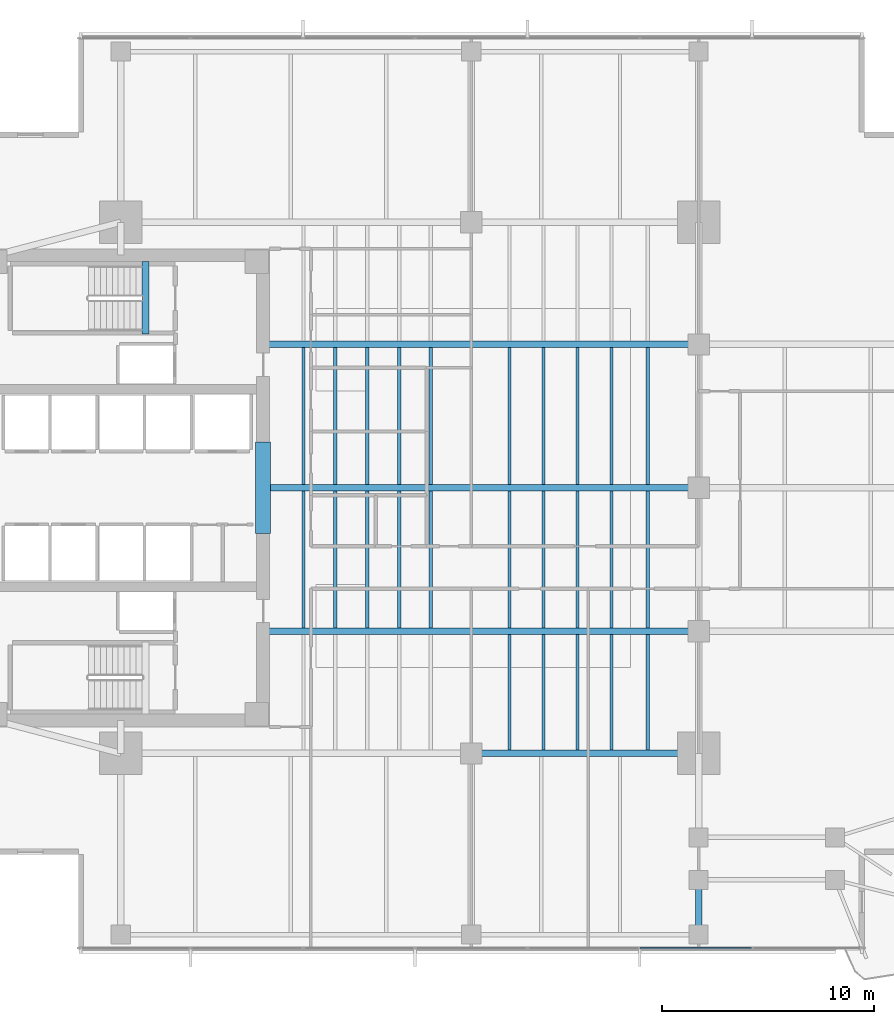
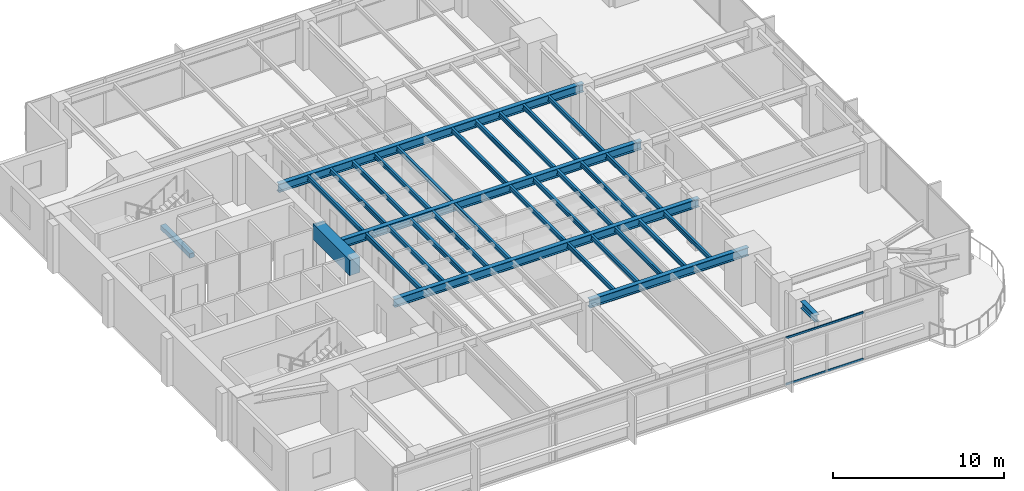
# One storey, part 3 of 15: 32 beams, 2 members, 1 element without a shape of its own.
"""IFC4 building model written with IfcOpenShell, lengths in metres."""

import ifcopenshell
import ifcopenshell.guid

model = None  # the IFC model being written
_history = None  # IfcOwnerHistory: only IFC2X3 demands one
_inside = {}  # id of a spatial element -> (the spatial element, [elements in it])
_under = {}  # id of a project, library or spatial element -> (it, [spatial elements below it])
_declared = {}  # id of a project -> (the project, [libraries it declares])
_typed = {}  # id of a type object -> (the type object, [elements of that type])
_made_of = {}  # id of a material, layer set ... -> (it, [elements and type objects made of it])


def new_model(schema):
    """Start an empty IFC model of exactly this schema.

    Asked for "IFC4X3", IfcOpenShell would pick the latest addendum, in which some entities
    have other attributes; the version numbers below select the first issue.
    IFC2X3 requires an IfcOwnerHistory on every rooted entity: one is made here for all.
    """
    global model, _history
    if schema == "IFC4X3":
        model = ifcopenshell.file(schema_version=(4, 3, 0, 0))
    else:
        model = ifcopenshell.file(schema=schema)
    _inside.clear()
    _under.clear()
    _declared.clear()
    _typed.clear()
    _made_of.clear()
    _history = None
    if model.schema == "IFC2X3":
        org = make("IfcOrganization", Name="unknown")
        user = make(
            "IfcPersonAndOrganization",
            ThePerson=make("IfcPerson", FamilyName="unknown"),
            TheOrganization=org,
        )
        app = make(
            "IfcApplication",
            ApplicationDeveloper=org,
            Version="unknown",
            ApplicationFullName="unknown",
            ApplicationIdentifier="unknown",
        )
        _history = make(
            "IfcOwnerHistory",
            OwningUser=user,
            OwningApplication=app,
            ChangeAction="ADDED",
            CreationDate=0,
        )
    return model


def make(cls, **values):
    """One entity of the class cls with the attributes given. An attribute that is None is left unset."""
    return model.create_entity(
        cls, **{name: value for name, value in values.items() if value is not None}
    )


def rooted(cls, **values):
    """An entity with a GlobalId (a new one), such as an element, a storey or a relation."""
    return make(cls, GlobalId=ifcopenshell.guid.new(), OwnerHistory=_history, **values)


def si_unit(unit_type, name, prefix=None):
    """IfcSIUnit, for example si_unit("LENGTHUNIT", "METRE", prefix="MILLI")."""
    return make("IfcSIUnit", UnitType=unit_type, Prefix=prefix, Name=name)


def assignment(units):
    """IfcUnitAssignment: the units of a project."""
    return None if units is None else make("IfcUnitAssignment", Units=units)


def point(xyz):
    """IfcCartesianPoint."""
    return None if xyz is None else make("IfcCartesianPoint", Coordinates=xyz)


def direction(xyz):
    """IfcDirection."""
    return None if xyz is None else make("IfcDirection", DirectionRatios=xyz)


def frame(location, z_axis=None, x_axis=None):
    """IfcAxis2Placement3D, a coordinate frame: its origin and axes. An axis left out is left unset."""
    return make(
        "IfcAxis2Placement3D",
        Location=point(location),
        Axis=direction(z_axis),
        RefDirection=direction(x_axis),
    )


def frame_2d(location, x_axis=None):
    """IfcAxis2Placement2D, a coordinate frame in the plane: its origin and x axis."""
    return make(
        "IfcAxis2Placement2D", Location=point(location), RefDirection=direction(x_axis)
    )


def origin():
    """The frame at (0, 0, 0) with its axes left unset."""
    return frame((0.0, 0.0, 0.0))


def origin_2d():
    """The frame at (0, 0) in the plane with its x axis left unset."""
    return frame_2d((0.0, 0.0))


def place(relative_to, where):
    """IfcLocalPlacement: puts the frame where relative to a parent placement (None: the world)."""
    return make(
        "IfcLocalPlacement", PlacementRelTo=relative_to, RelativePlacement=where
    )


def context(
    kind, dimensions, precision=None, world=None, true_north=None, identifier=None
):
    """IfcGeometricRepresentationContext, for example the 3D "Model" context."""
    return make(
        "IfcGeometricRepresentationContext",
        ContextIdentifier=identifier,
        ContextType=kind,
        CoordinateSpaceDimension=dimensions,
        Precision=precision,
        WorldCoordinateSystem=world,
        TrueNorth=true_north,
    )


def subcontext(parent, identifier, kind, view, scale=None):
    """IfcGeometricRepresentationSubContext, for example "Body" below "Model"."""
    return make(
        "IfcGeometricRepresentationSubContext",
        ContextIdentifier=identifier,
        ContextType=kind,
        ParentContext=parent,
        TargetScale=scale,
        TargetView=view,
    )


def project(units=None, contexts=None):
    """IfcProject with its units and contexts."""
    return rooted(
        "IfcProject",
        Name="project",
        RepresentationContexts=contexts,
        UnitsInContext=assignment(units),
    )


def spatial(cls, under=None, at=None, **own):
    """A site, building, storey or space (cls), placed at a placement, below another one or the project."""
    s = rooted(cls, ObjectPlacement=at, **own)
    if under is not None:
        _under.setdefault(under.id(), (under, []))[1].append(s)
    return s


def profile(cls, at=None, kind="AREA", **sizes):
    """A parametric profile (cls). Its sizes go by their IFC names, for example OverallWidth=200.0."""
    return make(cls, ProfileType=kind, Position=at, **sizes)


def rectangle(**sizes):
    """IfcRectangleProfileDef."""
    return profile("IfcRectangleProfileDef", **sizes)


def i_section(**sizes):
    """IfcIShapeProfileDef."""
    return profile("IfcIShapeProfileDef", **sizes)


def extrude(swept, where, along, depth):
    """IfcExtrudedAreaSolid: the profile swept, set in the frame where, extruded along a direction by depth."""
    return make(
        "IfcExtrudedAreaSolid",
        SweptArea=swept,
        Position=where,
        ExtrudedDirection=direction(along),
        Depth=depth,
    )


def shape(context_of_items, identifier, shape_type, items):
    """IfcShapeRepresentation: the items that make up one representation, for example the "Body"."""
    return make(
        "IfcShapeRepresentation",
        ContextOfItems=context_of_items,
        RepresentationIdentifier=identifier,
        RepresentationType=shape_type,
        Items=items,
    )


def material(Name=None, Category=None):
    """IfcMaterial."""
    return make("IfcMaterial", Name=Name, Category=Category)


def layer(
    of_material, thickness, ventilated=None, Name=None, Category=None, Priority=None
):
    """IfcMaterialLayer: one layer of a wall or slab, of a material (None: an air gap)."""
    return make(
        "IfcMaterialLayer",
        Material=of_material,
        LayerThickness=thickness,
        IsVentilated=ventilated,
        Name=Name,
        Category=Category,
        Priority=Priority,
    )


def layer_set(layers, Name=None):
    """IfcMaterialLayerSet."""
    return make("IfcMaterialLayerSet", MaterialLayers=layers, LayerSetName=Name)


def material_profile(
    of_material, cross_section, Name=None, Category=None, Priority=None
):
    """IfcMaterialProfile: a cross section and its material."""
    return make(
        "IfcMaterialProfile",
        Name=Name,
        Material=of_material,
        Profile=cross_section,
        Priority=Priority,
        Category=Category,
    )


def profile_set(profiles, Name=None, composite=None):
    """IfcMaterialProfileSet."""
    return make(
        "IfcMaterialProfileSet",
        Name=Name,
        MaterialProfiles=profiles,
        CompositeProfile=composite,
    )


def made_of(thing, what):
    """Note that an element or type object is made of a material, layer set ...; save() writes the relation."""
    if what is not None:
        _made_of.setdefault(what.id(), (what, []))[1].append(thing)
    return thing


def type_object(cls, material=None, **own):
    """A type object (cls), such as IfcWallType, which elements share."""
    return made_of(rooted(cls, **own), material)


def element(
    cls,
    number,
    at=None,
    inside=None,
    cuts=None,
    type_object=None,
    material=None,
    context=None,
    identifier="Body",
    shape_type=None,
    held_by="IfcProductDefinitionShape",
    body=None,
    shapes=None,
    **own,
):
    """One element of the class cls, such as IfcWall. Its Tag is "e" and its number.

    at: its placement. inside: the storey or other place that contains it. cuts: it is an
    opening in that element (IfcRelVoidsElement). A single representation is given by context,
    identifier, shape_type and body (its items); several are given by shapes. held_by: the class
    of the entity that holds the representations. save() writes the other relations.
    """
    e = rooted(cls, Tag="e%d" % number, ObjectPlacement=at, **own)
    if body is not None:
        shapes = [shape(context, identifier, shape_type, body)]
    if shapes is not None:
        e.Representation = make(held_by, Representations=shapes)
    if inside is not None:
        _inside.setdefault(inside.id(), (inside, []))[1].append(e)
    if cuts is not None:
        rooted(
            "IfcRelVoidsElement", RelatingBuildingElement=cuts, RelatedOpeningElement=e
        )
    if type_object is not None:
        _typed.setdefault(type_object.id(), (type_object, []))[1].append(e)
    return made_of(e, material)


def aggregate(whole, parts):
    """IfcRelAggregates: a whole, such as a stair, and the parts it consists of."""
    return rooted("IfcRelAggregates", RelatingObject=whole, RelatedObjects=parts)


def save(model, path):
    """Write the relations noted so far, then the file.

    IfcRelAggregates (storeys below a building ...), IfcRelContainedInSpatialStructure (elements
    in a storey), IfcRelDefinesByType, IfcRelAssociatesMaterial and IfcRelDeclares: one each for
    every whole, place, type object, material and project.
    """
    for whole, parts in _under.values():
        aggregate(whole, parts)
    for where, things in _inside.values():
        rooted(
            "IfcRelContainedInSpatialStructure",
            RelatedElements=things,
            RelatingStructure=where,
        )
    for kind, things in _typed.values():
        rooted("IfcRelDefinesByType", RelatedObjects=things, RelatingType=kind)
    for what, things in _made_of.values():
        rooted("IfcRelAssociatesMaterial", RelatedObjects=things, RelatingMaterial=what)
    for by, libraries in _declared.values():
        rooted("IfcRelDeclares", RelatingContext=by, RelatedDefinitions=libraries)
    model.write(path)


model = new_model("IFC4")

# Units and contexts
model_context = context("Model", 3, precision=1e-05, world=origin(), true_north=direction((0.0, 1.0)))
body_context = subcontext(model_context, "Body", "Model", "MODEL_VIEW")
ifc_project = project(units=[si_unit("LENGTHUNIT", "METRE"), si_unit("AREAUNIT", "SQUARE_METRE"), si_unit("VOLUMEUNIT", "CUBIC_METRE"), si_unit("PLANEANGLEUNIT", "RADIAN"), si_unit("MASSUNIT", "GRAM", prefix="KILO")], contexts=[model_context])

# Site, building, storey
site_placement = place(None, origin())
site = spatial("IfcSite", under=ifc_project, at=site_placement, CompositionType="ELEMENT")
building_placement = place(site_placement, origin())
building = spatial("IfcBuilding", under=site, at=building_placement, Name="Kinhvarn Gate Tower", CompositionType="ELEMENT")
storey_placement = place(building_placement, frame((0.0, 0.0, 112.89990234375)))
storey = spatial("IfcBuildingStorey", under=building, at=storey_placement, Name="L29", CompositionType="ELEMENT", Elevation=112.89990234375)

# Beams
ifc_material_1 = material(Name="Concrete C70/85", Category="concrete")
ifc_material_profile_1 = material_profile(ifc_material_1, rectangle(XDim=0.699951171875, YDim=1.10009765625, at=origin_2d()), Name="RC 700x1100")
ifc_profile_set_1 = profile_set([ifc_material_profile_1], Name="Concrete C70/85")
beam_type_1 = type_object("IfcBeamType", Name="BM-CB-1100", PredefinedType="LINTEL", material=ifc_profile_set_1)
beam_1_placement = place(storey_placement, frame((17.699951171875, 23.10009765625, 2.820068359375), z_axis=(0.0, 1.0, 0.0), x_axis=(-1.0, 0.0, 0.0)))
element("IfcBeam", 1, at=beam_1_placement, inside=storey, type_object=beam_type_1, Name="Core East Portal Coupling Beam L29", PredefinedType="LINTEL", context=body_context, shape_type="SweptSolid", body=[
    extrude(rectangle(XDim=0.699951171875, YDim=1.10009765625, at=origin_2d()), origin(), (0.0, 0.0, 1.0), 4.2998046875),
])
ifc_material_2 = material(Name="Concrete C50/60", Category="concrete")
ifc_material_profile_2 = material_profile(ifc_material_2, rectangle(XDim=0.340087890625, YDim=0.320068359375, at=origin_2d()), Name="RC 340x320")
ifc_profile_set_2 = profile_set([ifc_material_profile_2], Name="Concrete C50/60")
beam_type_2 = type_object("IfcBeamType", Name="BM-LND-500", PredefinedType="BEAM", material=ifc_profile_set_2)
beam_2_placement = place(storey_placement, frame((12.1650390625, 32.5, -0.159912109375), z_axis=(0.0, 1.0, 0.0), x_axis=(-1.0, 0.0, 0.0)))
element("IfcBeam", 2, at=beam_2_placement, inside=storey, type_object=beam_type_2, Name="Stair ST2 Landing Nosing Beam (L29)", PredefinedType="BEAM", context=body_context, shape_type="SweptSolid", body=[
    extrude(rectangle(XDim=0.340087890625, YDim=0.320068359375, at=origin_2d()), origin(), (0.0, 0.0, 1.0), 3.39990234375),
])

# Curtain wall, members
ifc_material_3 = material(Name="Anodised aluminium AW-6063", Category="aluminium")
ifc_layer = layer(ifc_material_3, 0.179931640625)
ifc_layer_set = layer_set([ifc_layer], Name="Anodised aluminium AW-6063")
curtain_wall_type = type_object("IfcCurtainWallType", Name="CW-SYS-3", PredefinedType="NOTDEFINED", material=ifc_layer_set)
curtain_wall_placement = place(storey_placement, origin())
curtain_wall = element("IfcCurtainWall", 3, at=curtain_wall_placement, inside=storey, type_object=curtain_wall_type, Name="Curtain Wall CW3 (L29)", PredefinedType="NOTDEFINED")
ifc_material_profile_3 = material_profile(ifc_material_3, rectangle(XDim=0.070068359375, YDim=0.139892578125, at=origin_2d()), Name="ALU 70x140")
ifc_profile_set_3 = profile_set([ifc_material_profile_3], Name="Anodised aluminium AW-6063")
member_type = type_object("IfcMemberType", Name="CW-TRN-140", PredefinedType="USERDEFINED", material=ifc_profile_set_3)
member_1_placement = place(storey_placement, frame((35.461181640625, 3.590087890625, 0.03515625), z_axis=(1.0, 0.0, 0.0), x_axis=(0.0, 1.0, 0.0)))
member_1 = element("IfcMember", 4, at=member_1_placement, type_object=member_type, Name="CW3 transom 6.1", ObjectType="TRANSOM", PredefinedType="USERDEFINED", context=body_context, shape_type="SweptSolid", body=[
    extrude(rectangle(XDim=0.070068359375, YDim=0.139892578125, at=origin_2d()), origin(), (0.0, 0.0, 1.0), 5.220703125),
])
member_2_placement = place(storey_placement, frame((35.461181640625, 3.590087890625, 3.335205078125), z_axis=(1.0, 0.0, 0.0), x_axis=(0.0, 1.0, 0.0)))
member_2 = element("IfcMember", 5, at=member_2_placement, type_object=member_type, Name="CW3 transom 6.2", ObjectType="TRANSOM", PredefinedType="USERDEFINED", context=body_context, shape_type="SweptSolid", body=[
    extrude(rectangle(XDim=0.070068359375, YDim=0.139892578125, at=origin_2d()), origin(), (0.0, 0.0, 1.0), 5.220703125),
])
aggregate(curtain_wall, [member_1, member_2])

# Beams
ifc_material_4 = material(Name="Steel S355", Category="steel")
ifc_material_profile_4 = material_profile(ifc_material_4, i_section(OverallWidth=0.300048828125, OverallDepth=0.5, WebThickness=0.014404296875, FlangeThickness=0.028076171875, at=origin_2d()), Name="HEB 500")
ifc_profile_set_4 = profile_set([ifc_material_profile_4], Name="Steel S355")
beam_type_3 = type_object("IfcBeamType", Name="STL-HEB500", PredefinedType="BEAM", material=ifc_profile_set_4)
beam_3_placement = place(storey_placement, frame((38.199951171875, 4.655029296875, 3.1201171875), z_axis=(0.0, 1.0, 0.0), x_axis=(-1.0, 0.0, 0.0)))
element("IfcBeam", 6, at=beam_3_placement, inside=storey, type_object=beam_type_3, Name="Floor Beam PG-14 (L29 MCE-S-A0)", PredefinedType="BEAM", context=body_context, shape_type="SweptSolid", body=[
    extrude(i_section(OverallWidth=0.300048828125, OverallDepth=0.5, WebThickness=0.014404296875, FlangeThickness=0.028076171875, at=origin_2d()), origin(), (0.0, 0.0, 1.0), 1.7099609375),
])
ifc_material_profile_5 = material_profile(ifc_material_4, i_section(OverallWidth=0.300048828125, OverallDepth=0.60009765625, WebThickness=0.015380859375, FlangeThickness=0.030029296875, at=origin_2d()), Name="HEB 600")
ifc_profile_set_5 = profile_set([ifc_material_profile_5], Name="Steel S355")
beam_type_4 = type_object("IfcBeamType", Name="STL-HEB600", PredefinedType="BEAM", material=ifc_profile_set_5)
beam_4_placement = place(storey_placement, frame((27.5, 12.75, 3.070068359375), z_axis=(1.0, 0.0, 0.0), x_axis=(0.0, 1.0, 0.0)))
element("IfcBeam", 7, at=beam_4_placement, inside=storey, type_object=beam_type_4, Name="Floor Beam PG-16 (L29 MG-S2)", PredefinedType="BEAM", context=body_context, shape_type="SweptSolid", body=[
    extrude(i_section(OverallWidth=0.300048828125, OverallDepth=0.60009765625, WebThickness=0.015380859375, FlangeThickness=0.030029296875, at=origin_2d()), origin(), (0.0, 0.0, 1.0), 10.699951171875),
])
beam_5_placement = place(storey_placement, frame((17.64990234375, 18.5, 3.070068359375), z_axis=(1.0, 0.0, 0.0), x_axis=(0.0, 1.0, 0.0)))
element("IfcBeam", 8, at=beam_5_placement, inside=storey, type_object=beam_type_4, Name="Floor Beam PG-16 (L29 EW1-Y18)", PredefinedType="BEAM", context=body_context, shape_type="SweptSolid", body=[
    extrude(i_section(OverallWidth=0.300048828125, OverallDepth=0.60009765625, WebThickness=0.015380859375, FlangeThickness=0.030029296875, at=origin_2d()), origin(), (0.0, 0.0, 1.0), 20.550048828125),
])
beam_6_placement = place(storey_placement, frame((18.050048828125, 25.25, 3.070068359375), z_axis=(1.0, 0.0, 0.0), x_axis=(0.0, 1.0, 0.0)))
element("IfcBeam", 9, at=beam_6_placement, inside=storey, type_object=beam_type_4, Name="Floor Beam PG-16 (L29 EW1-Y25)", PredefinedType="BEAM", context=body_context, shape_type="SweptSolid", body=[
    extrude(i_section(OverallWidth=0.300048828125, OverallDepth=0.60009765625, WebThickness=0.015380859375, FlangeThickness=0.030029296875, at=origin_2d()), origin(), (0.0, 0.0, 1.0), 20.14990234375),
])
beam_7_placement = place(storey_placement, frame((17.64990234375, 32.0, 3.070068359375), z_axis=(1.0, 0.0, 0.0), x_axis=(0.0, 1.0, 0.0)))
element("IfcBeam", 10, at=beam_7_placement, inside=storey, type_object=beam_type_4, Name="Floor Beam PG-16 (L29 EW1-Y32)", PredefinedType="BEAM", context=body_context, shape_type="SweptSolid", body=[
    extrude(i_section(OverallWidth=0.300048828125, OverallDepth=0.60009765625, WebThickness=0.015380859375, FlangeThickness=0.030029296875, at=origin_2d()), origin(), (0.0, 0.0, 1.0), 20.550048828125),
])
ifc_material_profile_6 = material_profile(ifc_material_4, i_section(OverallWidth=0.159912109375, OverallDepth=0.330078125, WebThickness=0.007568359375, FlangeThickness=0.011474609375, at=origin_2d()), Name="IPE 330")
ifc_profile_set_6 = profile_set([ifc_material_profile_6], Name="Steel S355")
beam_type_5 = type_object("IfcBeamType", Name="STL-IPE330", PredefinedType="JOIST", material=ifc_profile_set_6)
for number, where, z_axis, x_axis, name in (
    (11, (19.60009765625, 18.64990234375, 3.205078125), (0.0, 1.0, 0.0), (-1.0, 0.0, 0.0), "Floor Joist SB-03 (L29 JC-X196-1)"),
    (12, (19.60009765625, 25.39990234375, 3.205078125), (0.0, 1.0, 0.0), (-1.0, 0.0, 0.0), "Floor Joist SB-03 (L29 JC-X196-2)"),
    (13, (21.10009765625, 18.64990234375, 3.205078125), (0.0, 1.0, 0.0), (-1.0, 0.0, 0.0), "Floor Joist SB-03 (L29 JC-X211-1)"),
    (14, (21.10009765625, 25.39990234375, 3.205078125), (0.0, 1.0, 0.0), (-1.0, 0.0, 0.0), "Floor Joist SB-03 (L29 JC-X211-2)"),
    (15, (22.60009765625, 18.64990234375, 3.205078125), (0.0, 1.0, 0.0), (-1.0, 0.0, 0.0), "Floor Joist SB-03 (L29 JC-X226-1)"),
    (16, (22.60009765625, 25.39990234375, 3.205078125), (0.0, 1.0, 0.0), (-1.0, 0.0, 0.0), "Floor Joist SB-03 (L29 JC-X226-2)"),
    (17, (24.10009765625, 18.64990234375, 3.205078125), (0.0, 1.0, 0.0), (-1.0, 0.0, 0.0), "Floor Joist SB-03 (L29 JC-X241-1)"),
    (18, (24.10009765625, 25.39990234375, 3.205078125), (0.0, 1.0, 0.0), (-1.0, 0.0, 0.0), "Floor Joist SB-03 (L29 JC-X241-2)"),
    (19, (25.60009765625, 18.64990234375, 3.205078125), (0.0, 1.0, 0.0), (-1.0, 0.0, 0.0), "Floor Joist SB-03 (L29 JC-X256-1)"),
    (20, (25.60009765625, 25.39990234375, 3.205078125), (0.0, 1.0, 0.0), (-1.0, 0.0, 0.0), "Floor Joist SB-03 (L29 JC-X256-2)"),
):
    element("IfcBeam", number, at=place(storey_placement, frame(where, z_axis=z_axis, x_axis=x_axis)), inside=storey, type_object=beam_type_5, Name=name, PredefinedType="JOIST", context=body_context, shape_type="SweptSolid", body=[
        extrude(i_section(OverallWidth=0.159912109375, OverallDepth=0.330078125, WebThickness=0.007568359375, FlangeThickness=0.011474609375, at=origin_2d()), origin(), (0.0, 0.0, 1.0), 6.4501953125),
    ])
beam_8_placement = place(storey_placement, frame((29.300048828125, 12.89990234375, 3.205078125), z_axis=(0.0, 1.0, 0.0), x_axis=(-1.0, 0.0, 0.0)))
element("IfcBeam", 21, at=beam_8_placement, inside=storey, type_object=beam_type_5, Name="Floor Joist SB-03 (L29 JC-X293-0)", PredefinedType="JOIST", context=body_context, shape_type="SweptSolid", body=[
    extrude(i_section(OverallWidth=0.159912109375, OverallDepth=0.330078125, WebThickness=0.007568359375, FlangeThickness=0.011474609375, at=origin_2d()), origin(), (0.0, 0.0, 1.0), 5.4501953125),
])
for number, where, z_axis, x_axis, name in (
    (22, (29.300048828125, 18.64990234375, 3.205078125), (0.0, 1.0, 0.0), (-1.0, 0.0, 0.0), "Floor Joist SB-03 (L29 JC-X293-1)"),
    (23, (29.300048828125, 25.39990234375, 3.205078125), (0.0, 1.0, 0.0), (-1.0, 0.0, 0.0), "Floor Joist SB-03 (L29 JC-X293-2)"),
):
    element("IfcBeam", number, at=place(storey_placement, frame(where, z_axis=z_axis, x_axis=x_axis)), inside=storey, type_object=beam_type_5, Name=name, PredefinedType="JOIST", context=body_context, shape_type="SweptSolid", body=[
        extrude(i_section(OverallWidth=0.159912109375, OverallDepth=0.330078125, WebThickness=0.007568359375, FlangeThickness=0.011474609375, at=origin_2d()), origin(), (0.0, 0.0, 1.0), 6.4501953125),
    ])
beam_9_placement = place(storey_placement, frame((30.89990234375, 12.89990234375, 3.205078125), z_axis=(0.0, 1.0, 0.0), x_axis=(-1.0, 0.0, 0.0)))
element("IfcBeam", 24, at=beam_9_placement, inside=storey, type_object=beam_type_5, Name="Floor Joist SB-03 (L29 JC-X309-0)", PredefinedType="JOIST", context=body_context, shape_type="SweptSolid", body=[
    extrude(i_section(OverallWidth=0.159912109375, OverallDepth=0.330078125, WebThickness=0.007568359375, FlangeThickness=0.011474609375, at=origin_2d()), origin(), (0.0, 0.0, 1.0), 5.4501953125),
])
for number, where, z_axis, x_axis, name in (
    (25, (30.89990234375, 18.64990234375, 3.205078125), (0.0, 1.0, 0.0), (-1.0, 0.0, 0.0), "Floor Joist SB-03 (L29 JC-X309-1)"),
    (26, (30.89990234375, 25.39990234375, 3.205078125), (0.0, 1.0, 0.0), (-1.0, 0.0, 0.0), "Floor Joist SB-03 (L29 JC-X309-2)"),
):
    element("IfcBeam", number, at=place(storey_placement, frame(where, z_axis=z_axis, x_axis=x_axis)), inside=storey, type_object=beam_type_5, Name=name, PredefinedType="JOIST", context=body_context, shape_type="SweptSolid", body=[
        extrude(i_section(OverallWidth=0.159912109375, OverallDepth=0.330078125, WebThickness=0.007568359375, FlangeThickness=0.011474609375, at=origin_2d()), origin(), (0.0, 0.0, 1.0), 6.4501953125),
    ])
beam_10_placement = place(storey_placement, frame((32.5, 12.89990234375, 3.205078125), z_axis=(0.0, 1.0, 0.0), x_axis=(-1.0, 0.0, 0.0)))
element("IfcBeam", 27, at=beam_10_placement, inside=storey, type_object=beam_type_5, Name="Floor Joist SB-03 (L29 JC-X325-0)", PredefinedType="JOIST", context=body_context, shape_type="SweptSolid", body=[
    extrude(i_section(OverallWidth=0.159912109375, OverallDepth=0.330078125, WebThickness=0.007568359375, FlangeThickness=0.011474609375, at=origin_2d()), origin(), (0.0, 0.0, 1.0), 5.4501953125),
])
for number, where, z_axis, x_axis, name in (
    (28, (32.5, 18.64990234375, 3.205078125), (0.0, 1.0, 0.0), (-1.0, 0.0, 0.0), "Floor Joist SB-03 (L29 JC-X325-1)"),
    (29, (32.5, 25.39990234375, 3.205078125), (0.0, 1.0, 0.0), (-1.0, 0.0, 0.0), "Floor Joist SB-03 (L29 JC-X325-2)"),
):
    element("IfcBeam", number, at=place(storey_placement, frame(where, z_axis=z_axis, x_axis=x_axis)), inside=storey, type_object=beam_type_5, Name=name, PredefinedType="JOIST", context=body_context, shape_type="SweptSolid", body=[
        extrude(i_section(OverallWidth=0.159912109375, OverallDepth=0.330078125, WebThickness=0.007568359375, FlangeThickness=0.011474609375, at=origin_2d()), origin(), (0.0, 0.0, 1.0), 6.4501953125),
    ])
beam_11_placement = place(storey_placement, frame((34.10009765625, 12.89990234375, 3.205078125), z_axis=(0.0, 1.0, 0.0), x_axis=(-1.0, 0.0, 0.0)))
element("IfcBeam", 30, at=beam_11_placement, inside=storey, type_object=beam_type_5, Name="Floor Joist SB-03 (L29 JC-X341-0)", PredefinedType="JOIST", context=body_context, shape_type="SweptSolid", body=[
    extrude(i_section(OverallWidth=0.159912109375, OverallDepth=0.330078125, WebThickness=0.007568359375, FlangeThickness=0.011474609375, at=origin_2d()), origin(), (0.0, 0.0, 1.0), 5.4501953125),
])
for number, where, z_axis, x_axis, name in (
    (31, (34.10009765625, 18.64990234375, 3.205078125), (0.0, 1.0, 0.0), (-1.0, 0.0, 0.0), "Floor Joist SB-03 (L29 JC-X341-1)"),
    (32, (34.10009765625, 25.39990234375, 3.205078125), (0.0, 1.0, 0.0), (-1.0, 0.0, 0.0), "Floor Joist SB-03 (L29 JC-X341-2)"),
):
    element("IfcBeam", number, at=place(storey_placement, frame(where, z_axis=z_axis, x_axis=x_axis)), inside=storey, type_object=beam_type_5, Name=name, PredefinedType="JOIST", context=body_context, shape_type="SweptSolid", body=[
        extrude(i_section(OverallWidth=0.159912109375, OverallDepth=0.330078125, WebThickness=0.007568359375, FlangeThickness=0.011474609375, at=origin_2d()), origin(), (0.0, 0.0, 1.0), 6.4501953125),
    ])
beam_12_placement = place(storey_placement, frame((35.800048828125, 12.89990234375, 3.205078125), z_axis=(0.0, 1.0, 0.0), x_axis=(-1.0, 0.0, 0.0)))
element("IfcBeam", 33, at=beam_12_placement, inside=storey, type_object=beam_type_5, Name="Floor Joist SB-03 (L29 JC-X358-0)", PredefinedType="JOIST", context=body_context, shape_type="SweptSolid", body=[
    extrude(i_section(OverallWidth=0.159912109375, OverallDepth=0.330078125, WebThickness=0.007568359375, FlangeThickness=0.011474609375, at=origin_2d()), origin(), (0.0, 0.0, 1.0), 5.4501953125),
])
for number, where, z_axis, x_axis, name in (
    (34, (35.800048828125, 18.64990234375, 3.205078125), (0.0, 1.0, 0.0), (-1.0, 0.0, 0.0), "Floor Joist SB-03 (L29 JC-X358-1)"),
    (35, (35.800048828125, 25.39990234375, 3.205078125), (0.0, 1.0, 0.0), (-1.0, 0.0, 0.0), "Floor Joist SB-03 (L29 JC-X358-2)"),
):
    element("IfcBeam", number, at=place(storey_placement, frame(where, z_axis=z_axis, x_axis=x_axis)), inside=storey, type_object=beam_type_5, Name=name, PredefinedType="JOIST", context=body_context, shape_type="SweptSolid", body=[
        extrude(i_section(OverallWidth=0.159912109375, OverallDepth=0.330078125, WebThickness=0.007568359375, FlangeThickness=0.011474609375, at=origin_2d()), origin(), (0.0, 0.0, 1.0), 6.4501953125),
    ])

save(model, "model.ifc")
